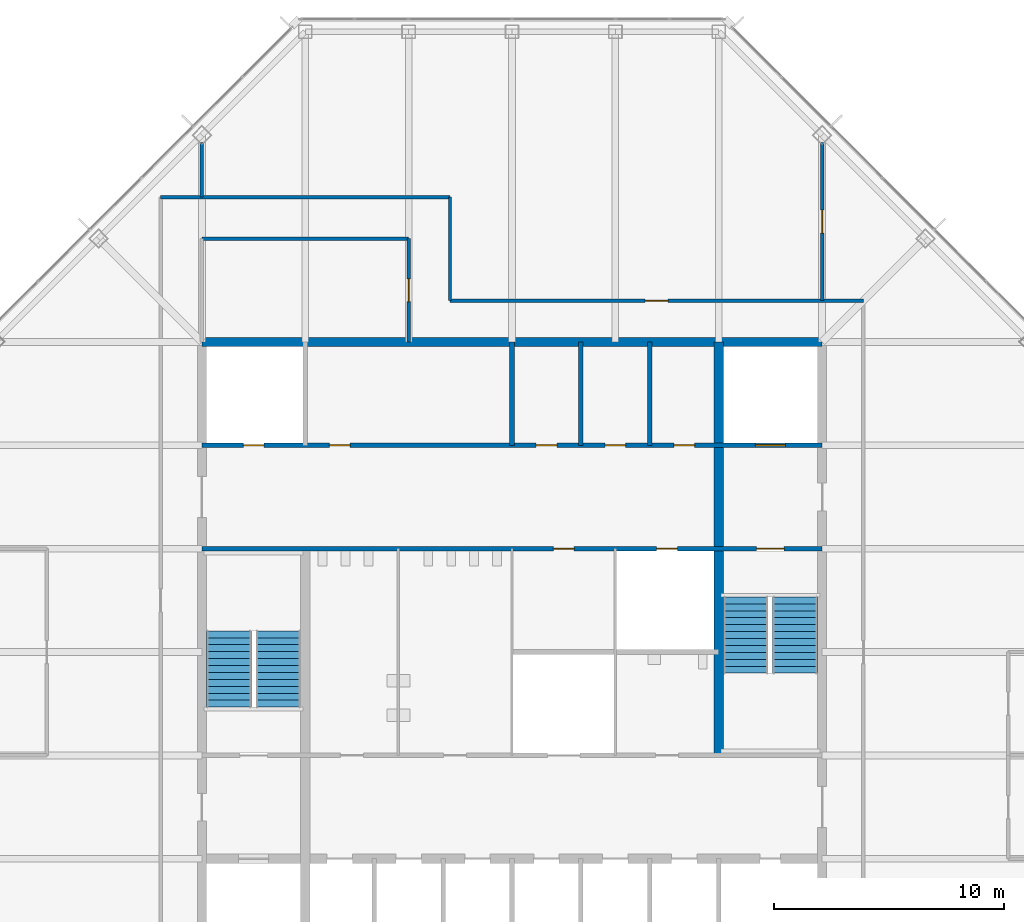
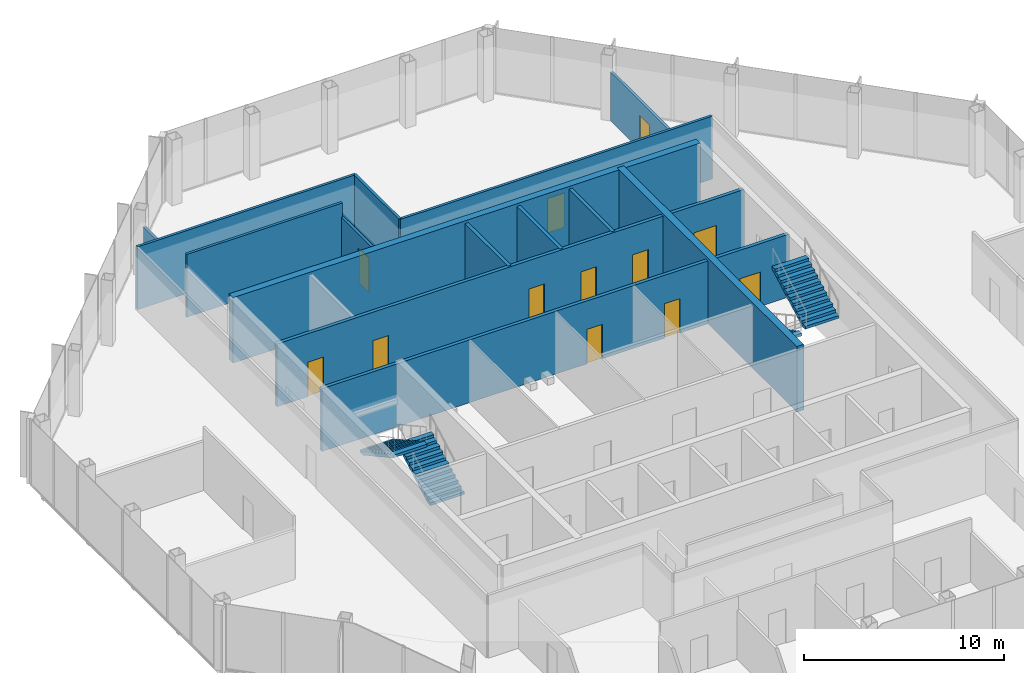
# One storey, part 11 of 13: 14 walls, 12 doors, 4 stair flights, 12 openings, 2 elements without a shape of their own.
"""IFC4 building model written with IfcOpenShell, lengths in metres."""

import ifcopenshell
import ifcopenshell.guid

model = None  # the IFC model being written
_history = None  # IfcOwnerHistory: only IFC2X3 demands one
_inside = {}  # id of a spatial element -> (the spatial element, [elements in it])
_under = {}  # id of a project, library or spatial element -> (it, [spatial elements below it])
_declared = {}  # id of a project -> (the project, [libraries it declares])
_typed = {}  # id of a type object -> (the type object, [elements of that type])
_made_of = {}  # id of a material, layer set ... -> (it, [elements and type objects made of it])


def new_model(schema):
    """Start an empty IFC model of exactly this schema.

    Asked for "IFC4X3", IfcOpenShell would pick the latest addendum, in which some entities
    have other attributes; the version numbers below select the first issue.
    IFC2X3 requires an IfcOwnerHistory on every rooted entity: one is made here for all.
    """
    global model, _history
    if schema == "IFC4X3":
        model = ifcopenshell.file(schema_version=(4, 3, 0, 0))
    else:
        model = ifcopenshell.file(schema=schema)
    _inside.clear()
    _under.clear()
    _declared.clear()
    _typed.clear()
    _made_of.clear()
    _history = None
    if model.schema == "IFC2X3":
        org = make("IfcOrganization", Name="unknown")
        user = make(
            "IfcPersonAndOrganization",
            ThePerson=make("IfcPerson", FamilyName="unknown"),
            TheOrganization=org,
        )
        app = make(
            "IfcApplication",
            ApplicationDeveloper=org,
            Version="unknown",
            ApplicationFullName="unknown",
            ApplicationIdentifier="unknown",
        )
        _history = make(
            "IfcOwnerHistory",
            OwningUser=user,
            OwningApplication=app,
            ChangeAction="ADDED",
            CreationDate=0,
        )
    return model


def make(cls, **values):
    """One entity of the class cls with the attributes given. An attribute that is None is left unset."""
    return model.create_entity(
        cls, **{name: value for name, value in values.items() if value is not None}
    )


def rooted(cls, **values):
    """An entity with a GlobalId (a new one), such as an element, a storey or a relation."""
    return make(cls, GlobalId=ifcopenshell.guid.new(), OwnerHistory=_history, **values)


def si_unit(unit_type, name, prefix=None):
    """IfcSIUnit, for example si_unit("LENGTHUNIT", "METRE", prefix="MILLI")."""
    return make("IfcSIUnit", UnitType=unit_type, Prefix=prefix, Name=name)


def assignment(units):
    """IfcUnitAssignment: the units of a project."""
    return None if units is None else make("IfcUnitAssignment", Units=units)


def point(xyz):
    """IfcCartesianPoint."""
    return None if xyz is None else make("IfcCartesianPoint", Coordinates=xyz)


def direction(xyz):
    """IfcDirection."""
    return None if xyz is None else make("IfcDirection", DirectionRatios=xyz)


def frame(location, z_axis=None, x_axis=None):
    """IfcAxis2Placement3D, a coordinate frame: its origin and axes. An axis left out is left unset."""
    return make(
        "IfcAxis2Placement3D",
        Location=point(location),
        Axis=direction(z_axis),
        RefDirection=direction(x_axis),
    )


def frame_2d(location, x_axis=None):
    """IfcAxis2Placement2D, a coordinate frame in the plane: its origin and x axis."""
    return make(
        "IfcAxis2Placement2D", Location=point(location), RefDirection=direction(x_axis)
    )


def origin():
    """The frame at (0, 0, 0) with its axes left unset."""
    return frame((0.0, 0.0, 0.0))


def place(relative_to, where):
    """IfcLocalPlacement: puts the frame where relative to a parent placement (None: the world)."""
    return make(
        "IfcLocalPlacement", PlacementRelTo=relative_to, RelativePlacement=where
    )


def context(
    kind, dimensions, precision=None, world=None, true_north=None, identifier=None
):
    """IfcGeometricRepresentationContext, for example the 3D "Model" context."""
    return make(
        "IfcGeometricRepresentationContext",
        ContextIdentifier=identifier,
        ContextType=kind,
        CoordinateSpaceDimension=dimensions,
        Precision=precision,
        WorldCoordinateSystem=world,
        TrueNorth=true_north,
    )


def subcontext(parent, identifier, kind, view, scale=None):
    """IfcGeometricRepresentationSubContext, for example "Body" below "Model"."""
    return make(
        "IfcGeometricRepresentationSubContext",
        ContextIdentifier=identifier,
        ContextType=kind,
        ParentContext=parent,
        TargetScale=scale,
        TargetView=view,
    )


def project(units=None, contexts=None):
    """IfcProject with its units and contexts."""
    return rooted(
        "IfcProject",
        Name="project",
        RepresentationContexts=contexts,
        UnitsInContext=assignment(units),
    )


def spatial(cls, under=None, at=None, **own):
    """A site, building, storey or space (cls), placed at a placement, below another one or the project."""
    s = rooted(cls, ObjectPlacement=at, **own)
    if under is not None:
        _under.setdefault(under.id(), (under, []))[1].append(s)
    return s


def polyline(points):
    """IfcPolyline through the points."""
    return make("IfcPolyline", Points=[point(p) for p in points])


def profile(cls, at=None, kind="AREA", **sizes):
    """A parametric profile (cls). Its sizes go by their IFC names, for example OverallWidth=200.0."""
    return make(cls, ProfileType=kind, Position=at, **sizes)


def rectangle(**sizes):
    """IfcRectangleProfileDef."""
    return profile("IfcRectangleProfileDef", **sizes)


def outline(outer, holes=None, kind="AREA"):
    """IfcArbitraryClosedProfileDef: a profile drawn as a closed curve; with holes, ...WithVoids."""
    if holes is None:
        return make("IfcArbitraryClosedProfileDef", ProfileType=kind, OuterCurve=outer)
    return make(
        "IfcArbitraryProfileDefWithVoids",
        ProfileType=kind,
        OuterCurve=outer,
        InnerCurves=holes,
    )


def extrude(swept, where, along, depth):
    """IfcExtrudedAreaSolid: the profile swept, set in the frame where, extruded along a direction by depth."""
    return make(
        "IfcExtrudedAreaSolid",
        SweptArea=swept,
        Position=where,
        ExtrudedDirection=direction(along),
        Depth=depth,
    )


def shape(context_of_items, identifier, shape_type, items):
    """IfcShapeRepresentation: the items that make up one representation, for example the "Body"."""
    return make(
        "IfcShapeRepresentation",
        ContextOfItems=context_of_items,
        RepresentationIdentifier=identifier,
        RepresentationType=shape_type,
        Items=items,
    )


def material(Name=None, Category=None):
    """IfcMaterial."""
    return make("IfcMaterial", Name=Name, Category=Category)


def layer(
    of_material, thickness, ventilated=None, Name=None, Category=None, Priority=None
):
    """IfcMaterialLayer: one layer of a wall or slab, of a material (None: an air gap)."""
    return make(
        "IfcMaterialLayer",
        Material=of_material,
        LayerThickness=thickness,
        IsVentilated=ventilated,
        Name=Name,
        Category=Category,
        Priority=Priority,
    )


def layer_set(layers, Name=None):
    """IfcMaterialLayerSet."""
    return make("IfcMaterialLayerSet", MaterialLayers=layers, LayerSetName=Name)


def made_of(thing, what):
    """Note that an element or type object is made of a material, layer set ...; save() writes the relation."""
    if what is not None:
        _made_of.setdefault(what.id(), (what, []))[1].append(thing)
    return thing


def type_object(cls, material=None, **own):
    """A type object (cls), such as IfcWallType, which elements share."""
    return made_of(rooted(cls, **own), material)


def element(
    cls,
    number,
    at=None,
    inside=None,
    cuts=None,
    type_object=None,
    material=None,
    context=None,
    identifier="Body",
    shape_type=None,
    held_by="IfcProductDefinitionShape",
    body=None,
    shapes=None,
    **own,
):
    """One element of the class cls, such as IfcWall. Its Tag is "e" and its number.

    at: its placement. inside: the storey or other place that contains it. cuts: it is an
    opening in that element (IfcRelVoidsElement). A single representation is given by context,
    identifier, shape_type and body (its items); several are given by shapes. held_by: the class
    of the entity that holds the representations. save() writes the other relations.
    """
    e = rooted(cls, Tag="e%d" % number, ObjectPlacement=at, **own)
    if body is not None:
        shapes = [shape(context, identifier, shape_type, body)]
    if shapes is not None:
        e.Representation = make(held_by, Representations=shapes)
    if inside is not None:
        _inside.setdefault(inside.id(), (inside, []))[1].append(e)
    if cuts is not None:
        rooted(
            "IfcRelVoidsElement", RelatingBuildingElement=cuts, RelatedOpeningElement=e
        )
    if type_object is not None:
        _typed.setdefault(type_object.id(), (type_object, []))[1].append(e)
    return made_of(e, material)


def fill(opening, filler):
    """IfcRelFillsElement: the door or window that sits in an opening."""
    return rooted(
        "IfcRelFillsElement",
        RelatingOpeningElement=opening,
        RelatedBuildingElement=filler,
    )


def aggregate(whole, parts):
    """IfcRelAggregates: a whole, such as a stair, and the parts it consists of."""
    return rooted("IfcRelAggregates", RelatingObject=whole, RelatedObjects=parts)


def save(model, path):
    """Write the relations noted so far, then the file.

    IfcRelAggregates (storeys below a building ...), IfcRelContainedInSpatialStructure (elements
    in a storey), IfcRelDefinesByType, IfcRelAssociatesMaterial and IfcRelDeclares: one each for
    every whole, place, type object, material and project.
    """
    for whole, parts in _under.values():
        aggregate(whole, parts)
    for where, things in _inside.values():
        rooted(
            "IfcRelContainedInSpatialStructure",
            RelatedElements=things,
            RelatingStructure=where,
        )
    for kind, things in _typed.values():
        rooted("IfcRelDefinesByType", RelatedObjects=things, RelatingType=kind)
    for what, things in _made_of.values():
        rooted("IfcRelAssociatesMaterial", RelatedObjects=things, RelatingMaterial=what)
    for by, libraries in _declared.values():
        rooted("IfcRelDeclares", RelatingContext=by, RelatedDefinitions=libraries)
    model.write(path)


model = new_model("IFC4")

# Units and contexts
model_context = context("Model", 3, precision=1e-05, world=origin(), true_north=direction((0.0, 1.0)))
body_context = subcontext(model_context, "Body", "Model", "MODEL_VIEW")
ifc_project = project(units=[si_unit("LENGTHUNIT", "METRE"), si_unit("AREAUNIT", "SQUARE_METRE"), si_unit("VOLUMEUNIT", "CUBIC_METRE"), si_unit("PLANEANGLEUNIT", "RADIAN"), si_unit("MASSUNIT", "GRAM", prefix="KILO")], contexts=[model_context])

# Site, building, storey
site_placement = place(None, origin())
site = spatial("IfcSite", under=ifc_project, at=site_placement, CompositionType="ELEMENT")
building_placement = place(site_placement, origin())
building = spatial("IfcBuilding", under=site, at=building_placement, Name="Corais Broadcast Tower", CompositionType="ELEMENT")
storey_placement = place(building_placement, frame((0.0, 0.0, 270.60009765625)))
storey = spatial("IfcBuildingStorey", under=building, at=storey_placement, Name="L63", CompositionType="ELEMENT", Elevation=270.60009765625)

# Wall, openings, doors
ifc_material_1 = material(Name="Concrete blockwork class A, grouted, two-hour", Category="masonry")
ifc_layer_1 = layer(ifc_material_1, 0.199951171875)
ifc_layer_set_1 = layer_set([ifc_layer_1], Name="Concrete blockwork class A, grouted, two-hour")
wall_type_1 = type_object("IfcWallType", Name="Core lobby wall 200", PredefinedType="SOLIDWALL", material=ifc_layer_set_1)
wall_1_placement = place(storey_placement, frame((13.5, 31.5, 0.0), z_axis=(0.0, 0.0, 1.0), x_axis=(1.0, 0.0, 0.0)))
wall_1 = element("IfcWall", 1, at=wall_1_placement, inside=storey, type_object=wall_type_1, Name="CL3 core lobby wall Y315 L63", PredefinedType="SOLIDWALL", context=body_context, shape_type="SweptSolid", body=[
    extrude(rectangle(XDim=27.0, YDim=0.199951171875, at=frame_2d((13.5, 0.0))), origin(), (0.0, 0.0, 1.0), 3.83984375),
])
opening_1_placement = place(wall_1_placement, frame((24.14990234375, 0.0, 0.0)))
opening_1 = element("IfcOpeningElement", 2, at=opening_1_placement, cuts=wall_1, Name="Opening FD1", PredefinedType="OPENING", context=body_context, shape_type="SweptSolid", body=[
    extrude(rectangle(XDim=1.199951171875, YDim=2.10009765625, at=frame_2d((0.60009765625, 1.050048828125))), frame((0.0, 0.10986328125, 0.0), z_axis=(0.0, -1.0, 0.0), x_axis=(1.0, 0.0, 0.0)), (0.0, 0.0, 1.0), 0.219970703125),
])
opening_2_placement = place(wall_1_placement, frame((15.300048828125, 0.0, 0.0)))
opening_2 = element("IfcOpeningElement", 3, at=opening_2_placement, cuts=wall_1, Name="Opening RD1", PredefinedType="OPENING", context=body_context, shape_type="SweptSolid", body=[
    extrude(rectangle(XDim=0.89990234375, YDim=2.10009765625, at=frame_2d((0.449951171875, 1.050048828125))), frame((0.0, 0.10986328125, 0.0), z_axis=(0.0, -1.0, 0.0), x_axis=(1.0, 0.0, 0.0)), (0.0, 0.0, 1.0), 0.219970703125),
])
opening_3_placement = place(wall_1_placement, frame((19.800048828125, 0.0, 0.0)))
opening_3 = element("IfcOpeningElement", 4, at=opening_3_placement, cuts=wall_1, Name="Opening RD1", PredefinedType="OPENING", context=body_context, shape_type="SweptSolid", body=[
    extrude(rectangle(XDim=0.89990234375, YDim=2.10009765625, at=frame_2d((0.449951171875, 1.050048828125))), frame((0.0, 0.10986328125, 0.0), z_axis=(0.0, -1.0, 0.0), x_axis=(1.0, 0.0, 0.0)), (0.0, 0.0, 1.0), 0.219970703125),
])
ifc_material_2 = material(Name="Steel fire door", Category="steel")
door_type_1 = type_object("IfcDoorType", Name="Fire door 1200x2100", OperationType="SINGLE_SWING_LEFT", PredefinedType="DOOR", material=ifc_material_2)
door_1_placement = place(opening_1_placement, origin())
door_1 = element("IfcDoor", 5, at=door_1_placement, inside=storey, type_object=door_type_1, Name="FD1 stair B door L63", OperationType="SINGLE_SWING_RIGHT", OverallHeight=2.10009765625, OverallWidth=1.199951171875, PredefinedType="DOOR", context=body_context, shape_type="SweptSolid", body=[
    extrude(rectangle(XDim=1.199951171875, YDim=2.10009765625, at=frame_2d((0.60009765625, 1.050048828125))), frame((0.0, 0.02490234375, 0.0), z_axis=(0.0, -1.0, 0.0), x_axis=(1.0, 0.0, 0.0)), (0.0, 0.0, 1.0), 0.050048828125),
])
fill(opening_1, door_1)
ifc_material_3 = material(Name="Steel fire door", Category="steel")
door_type_2 = type_object("IfcDoorType", Name="Riser door 900x2100", OperationType="SINGLE_SWING_LEFT", PredefinedType="DOOR", material=ifc_material_3)
door_2_placement = place(opening_2_placement, origin())
door_2 = element("IfcDoor", 6, at=door_2_placement, inside=storey, type_object=door_type_2, Name="RD1 stationery store door L63", OperationType="SINGLE_SWING_RIGHT", OverallHeight=2.10009765625, OverallWidth=0.89990234375, PredefinedType="DOOR", context=body_context, shape_type="SweptSolid", body=[
    extrude(rectangle(XDim=0.89990234375, YDim=2.10009765625, at=frame_2d((0.449951171875, 1.050048828125))), frame((0.0, 0.02490234375, 0.0), z_axis=(0.0, -1.0, 0.0), x_axis=(1.0, 0.0, 0.0)), (0.0, 0.0, 1.0), 0.050048828125),
])
fill(opening_2, door_2)
door_3_placement = place(opening_3_placement, origin())
door_3 = element("IfcDoor", 7, at=door_3_placement, inside=storey, type_object=door_type_2, Name="RD1 riser door L63", OperationType="SINGLE_SWING_RIGHT", OverallHeight=2.10009765625, OverallWidth=0.89990234375, PredefinedType="DOOR", context=body_context, shape_type="SweptSolid", body=[
    extrude(rectangle(XDim=0.89990234375, YDim=2.10009765625, at=frame_2d((0.449951171875, 1.050048828125))), frame((0.0, 0.02490234375, 0.0), z_axis=(0.0, -1.0, 0.0), x_axis=(1.0, 0.0, 0.0)), (0.0, 0.0, 1.0), 0.050048828125),
])
fill(opening_3, door_3)

# Walls
ifc_material_4 = material(Name="Concrete C50/60", Category="concrete")
ifc_layer_2 = layer(ifc_material_4, 0.39990234375)
ifc_layer_set_2 = layer_set([ifc_layer_2], Name="Concrete C50/60")
wall_type_2 = type_object("IfcWallType", Name="Core wall 400", PredefinedType="SHEAR", material=ifc_layer_set_2)
wall_2_placement = place(storey_placement, frame((40.5, 40.5, 0.0), z_axis=(0.0, 0.0, 1.0), x_axis=(-1.0, 0.0, 0.0)))
element("IfcWall", 8, at=wall_2_placement, inside=storey, type_object=wall_type_2, Name="CR400 core wall N L63", PredefinedType="SHEAR", context=body_context, shape_type="SweptSolid", body=[
    extrude(rectangle(XDim=27.0, YDim=0.39990234375, at=frame_2d((13.5, 0.0))), origin(), (0.0, 0.0, 1.0), 4.0),
])
wall_3_placement = place(storey_placement, frame((36.0, 22.5, 0.0), z_axis=(0.0, 0.0, 1.0), x_axis=(0.0, 1.0, 0.0)))
element("IfcWall", 9, at=wall_3_placement, inside=storey, type_object=wall_type_2, Name="CR400 core wall X36B L63", PredefinedType="SHEAR", context=body_context, shape_type="SweptSolid", body=[
    extrude(rectangle(XDim=18.0, YDim=0.39990234375, at=frame_2d((9.0, 0.0))), origin(), (0.0, 0.0, 1.0), 4.0),
])

# Wall, openings, doors
ifc_material_5 = material(Name="Concrete blockwork class A, grouted, four-hour", Category="masonry")
ifc_layer_3 = layer(ifc_material_5, 0.199951171875)
ifc_layer_set_3 = layer_set([ifc_layer_3], Name="Concrete blockwork class A, grouted, four-hour")
wall_type_3 = type_object("IfcWallType", Name="Emergency lift shaft wall 200", PredefinedType="SOLIDWALL", material=ifc_layer_set_3)
wall_4_placement = place(storey_placement, frame((13.5, 36.0, 0.0), z_axis=(0.0, 0.0, 1.0), x_axis=(1.0, 0.0, 0.0)))
wall_4 = element("IfcWall", 10, at=wall_4_placement, inside=storey, type_object=wall_type_3, Name="LS3 core lobby wall Y36 L63", PredefinedType="SOLIDWALL", context=body_context, shape_type="SweptSolid", body=[
    extrude(rectangle(XDim=27.0, YDim=0.199951171875, at=frame_2d((13.5, 0.0))), origin(), (0.0, 0.0, 1.0), 3.83984375),
])
opening_4_placement = place(wall_4_placement, frame((1.800048828125, 0.0, 0.0)))
opening_4 = element("IfcOpeningElement", 11, at=opening_4_placement, cuts=wall_4, Name="Opening RD1", PredefinedType="OPENING", context=body_context, shape_type="SweptSolid", body=[
    extrude(rectangle(XDim=0.89990234375, YDim=2.10009765625, at=frame_2d((0.449951171875, 1.050048828125))), frame((0.0, 0.10986328125, 0.0), z_axis=(0.0, -1.0, 0.0), x_axis=(1.0, 0.0, 0.0)), (0.0, 0.0, 1.0), 0.219970703125),
])
opening_5_placement = place(wall_4_placement, frame((5.550048828125, 0.0, 0.0)))
opening_5 = element("IfcOpeningElement", 12, at=opening_5_placement, cuts=wall_4, Name="Opening RD1", PredefinedType="OPENING", context=body_context, shape_type="SweptSolid", body=[
    extrude(rectangle(XDim=0.89990234375, YDim=2.10009765625, at=frame_2d((0.449951171875, 1.050048828125))), frame((0.0, 0.10986328125, 0.0), z_axis=(0.0, -1.0, 0.0), x_axis=(1.0, 0.0, 0.0)), (0.0, 0.0, 1.0), 0.219970703125),
])
opening_6_placement = place(wall_4_placement, frame((14.550048828125, 0.0, 0.0)))
opening_6 = element("IfcOpeningElement", 13, at=opening_6_placement, cuts=wall_4, Name="Opening RD1", PredefinedType="OPENING", context=body_context, shape_type="SweptSolid", body=[
    extrude(rectangle(XDim=0.89990234375, YDim=2.10009765625, at=frame_2d((0.449951171875, 1.050048828125))), frame((0.0, 0.10986328125, 0.0), z_axis=(0.0, -1.0, 0.0), x_axis=(1.0, 0.0, 0.0)), (0.0, 0.0, 1.0), 0.219970703125),
])
opening_7_placement = place(wall_4_placement, frame((17.550048828125, 0.0, 0.0)))
opening_7 = element("IfcOpeningElement", 14, at=opening_7_placement, cuts=wall_4, Name="Opening RD1", PredefinedType="OPENING", context=body_context, shape_type="SweptSolid", body=[
    extrude(rectangle(XDim=0.89990234375, YDim=2.10009765625, at=frame_2d((0.449951171875, 1.050048828125))), frame((0.0, 0.10986328125, 0.0), z_axis=(0.0, -1.0, 0.0), x_axis=(1.0, 0.0, 0.0)), (0.0, 0.0, 1.0), 0.219970703125),
])
opening_8_placement = place(wall_4_placement, frame((20.550048828125, 0.0, 0.0)))
opening_8 = element("IfcOpeningElement", 15, at=opening_8_placement, cuts=wall_4, Name="Opening RD1", PredefinedType="OPENING", context=body_context, shape_type="SweptSolid", body=[
    extrude(rectangle(XDim=0.89990234375, YDim=2.10009765625, at=frame_2d((0.449951171875, 1.050048828125))), frame((0.0, 0.10986328125, 0.0), z_axis=(0.0, -1.0, 0.0), x_axis=(1.0, 0.0, 0.0)), (0.0, 0.0, 1.0), 0.219970703125),
])
opening_9_placement = place(wall_4_placement, frame((24.10009765625, 0.0, 0.0)))
opening_9 = element("IfcOpeningElement", 16, at=opening_9_placement, cuts=wall_4, Name="Opening LD2", PredefinedType="OPENING", context=body_context, shape_type="SweptSolid", body=[
    extrude(rectangle(XDim=1.300048828125, YDim=2.199951171875, at=frame_2d((0.64990234375, 1.10009765625))), frame((0.0, 0.10986328125, 0.0), z_axis=(0.0, -1.0, 0.0), x_axis=(1.0, 0.0, 0.0)), (0.0, 0.0, 1.0), 0.219970703125),
])
ifc_material_6 = material(Name="Stainless steel lift door", Category="steel")
door_type_3 = type_object("IfcDoorType", Name="Lift landing door 1300x2200", OperationType="SLIDING_TO_LEFT", PredefinedType="DOOR", material=ifc_material_6)
door_4_placement = place(opening_9_placement, origin())
door_4 = element("IfcDoor", 17, at=door_4_placement, inside=storey, type_object=door_type_3, Name="LD2 FL2 landing door L63", OperationType="SLIDING_TO_LEFT", OverallHeight=2.199951171875, OverallWidth=1.300048828125, PredefinedType="DOOR", context=body_context, shape_type="SweptSolid", body=[
    extrude(rectangle(XDim=1.300048828125, YDim=2.199951171875, at=frame_2d((0.64990234375, 1.10009765625))), frame((0.0, 0.02490234375, 0.0), z_axis=(0.0, -1.0, 0.0), x_axis=(1.0, 0.0, 0.0)), (0.0, 0.0, 1.0), 0.050048828125),
])
fill(opening_9, door_4)
door_5_placement = place(opening_4_placement, origin())
door_5 = element("IfcDoor", 18, at=door_5_placement, inside=storey, type_object=door_type_2, Name="RD1 riser door L63", OperationType="SINGLE_SWING_LEFT", OverallHeight=2.10009765625, OverallWidth=0.89990234375, PredefinedType="DOOR", context=body_context, shape_type="SweptSolid", body=[
    extrude(rectangle(XDim=0.89990234375, YDim=2.10009765625, at=frame_2d((0.449951171875, 1.050048828125))), frame((0.0, 0.02490234375, 0.0), z_axis=(0.0, -1.0, 0.0), x_axis=(1.0, 0.0, 0.0)), (0.0, 0.0, 1.0), 0.050048828125),
])
fill(opening_4, door_5)
door_6_placement = place(opening_5_placement, origin())
door_6 = element("IfcDoor", 19, at=door_6_placement, inside=storey, type_object=door_type_2, Name="RD1 media store door L63", OperationType="SINGLE_SWING_LEFT", OverallHeight=2.10009765625, OverallWidth=0.89990234375, PredefinedType="DOOR", context=body_context, shape_type="SweptSolid", body=[
    extrude(rectangle(XDim=0.89990234375, YDim=2.10009765625, at=frame_2d((0.449951171875, 1.050048828125))), frame((0.0, 0.02490234375, 0.0), z_axis=(0.0, -1.0, 0.0), x_axis=(1.0, 0.0, 0.0)), (0.0, 0.0, 1.0), 0.050048828125),
])
fill(opening_5, door_6)
door_7_placement = place(opening_6_placement, origin())
door_7 = element("IfcDoor", 20, at=door_7_placement, inside=storey, type_object=door_type_2, Name="RD1 tea point door L63", OperationType="SINGLE_SWING_RIGHT", OverallHeight=2.10009765625, OverallWidth=0.89990234375, PredefinedType="DOOR", context=body_context, shape_type="SweptSolid", body=[
    extrude(rectangle(XDim=0.89990234375, YDim=2.10009765625, at=frame_2d((0.449951171875, 1.050048828125))), frame((0.0, 0.02490234375, 0.0), z_axis=(0.0, -1.0, 0.0), x_axis=(1.0, 0.0, 0.0)), (0.0, 0.0, 1.0), 0.050048828125),
])
fill(opening_6, door_7)
door_8_placement = place(opening_7_placement, origin())
door_8 = element("IfcDoor", 21, at=door_8_placement, inside=storey, type_object=door_type_2, Name="RD1 locker room door L63", OperationType="SINGLE_SWING_RIGHT", OverallHeight=2.10009765625, OverallWidth=0.89990234375, PredefinedType="DOOR", context=body_context, shape_type="SweptSolid", body=[
    extrude(rectangle(XDim=0.89990234375, YDim=2.10009765625, at=frame_2d((0.449951171875, 1.050048828125))), frame((0.0, 0.02490234375, 0.0), z_axis=(0.0, -1.0, 0.0), x_axis=(1.0, 0.0, 0.0)), (0.0, 0.0, 1.0), 0.050048828125),
])
fill(opening_7, door_8)
door_9_placement = place(opening_8_placement, origin())
door_9 = element("IfcDoor", 22, at=door_9_placement, inside=storey, type_object=door_type_2, Name="RD1 print room door L63", OperationType="SINGLE_SWING_RIGHT", OverallHeight=2.10009765625, OverallWidth=0.89990234375, PredefinedType="DOOR", context=body_context, shape_type="SweptSolid", body=[
    extrude(rectangle(XDim=0.89990234375, YDim=2.10009765625, at=frame_2d((0.449951171875, 1.050048828125))), frame((0.0, 0.02490234375, 0.0), z_axis=(0.0, -1.0, 0.0), x_axis=(1.0, 0.0, 0.0)), (0.0, 0.0, 1.0), 0.050048828125),
])
fill(opening_8, door_9)

# Wall, opening, door
ifc_material_7 = material(Name="Gypsum board on steel studs", Category="steel")
ifc_layer_4 = layer(ifc_material_7, 0.14990234375)
ifc_layer_set_4 = layer_set([ifc_layer_4], Name="Gypsum board on steel studs")
wall_type_4 = type_object("IfcWallType", Name="Partition 150", PredefinedType="PARTITIONING", material=ifc_layer_set_4)
wall_5_placement = place(storey_placement, frame((42.300048828125, 42.300048828125, 0.0), z_axis=(0.0, 0.0, 1.0), x_axis=(-1.0, 0.0, 0.0)))
wall_5 = element("IfcWall", 23, at=wall_5_placement, inside=storey, type_object=wall_type_4, Name="IW3 corridor wall L63", PredefinedType="PARTITIONING", context=body_context, shape_type="SweptSolid", body=[
    extrude(rectangle(XDim=18.0, YDim=0.14990234375, at=frame_2d((9.0, 0.0))), origin(), (0.0, 0.0, 1.0), 3.83984375),
])
opening_10_placement = place(wall_5_placement, frame((8.5, 0.0, 0.0)))
opening_10 = element("IfcOpeningElement", 24, at=opening_10_placement, cuts=wall_5, Name="Opening D1", PredefinedType="OPENING", context=body_context, shape_type="SweptSolid", body=[
    extrude(rectangle(XDim=1.0, YDim=2.10009765625, at=frame_2d((0.5, 1.050048828125))), frame((0.0, 0.0849609375, 0.0), z_axis=(0.0, -1.0, 0.0), x_axis=(1.0, 0.0, 0.0)), (0.0, 0.0, 1.0), 0.169921875),
])
ifc_material_8 = material(Name="Timber door", Category="wood")
door_type_4 = type_object("IfcDoorType", Name="Single door 1000x2100", OperationType="SINGLE_SWING_LEFT", PredefinedType="DOOR", material=ifc_material_8)
door_10_placement = place(opening_10_placement, origin())
door_10 = element("IfcDoor", 25, at=door_10_placement, inside=storey, type_object=door_type_4, Name="D1 workplace door L63", OperationType="SINGLE_SWING_LEFT", OverallHeight=2.10009765625, OverallWidth=1.0, PredefinedType="DOOR", context=body_context, shape_type="SweptSolid", body=[
    extrude(rectangle(XDim=1.0, YDim=2.10009765625, at=frame_2d((0.5, 1.050048828125))), frame((0.0, 0.02490234375, 0.0), z_axis=(0.0, -1.0, 0.0), x_axis=(1.0, 0.0, 0.0)), (0.0, 0.0, 1.0), 0.050048828125),
])
fill(opening_10, door_10)

# Walls
wall_6_placement = place(storey_placement, frame((24.300048828125, 46.800048828125, 0.0), z_axis=(0.0, 0.0, 1.0), x_axis=(-1.0, 0.0, 0.0)))
element("IfcWall", 26, at=wall_6_placement, inside=storey, type_object=wall_type_4, Name="IW3 corridor wall L63", PredefinedType="PARTITIONING", context=body_context, shape_type="SweptSolid", body=[
    extrude(rectangle(XDim=12.60009765625, YDim=0.14990234375, at=frame_2d((6.300048828125, 0.0))), origin(), (0.0, 0.0, 1.0), 3.83984375),
])
wall_7_placement = place(storey_placement, frame((24.300048828125, 42.300048828125, 0.0), z_axis=(0.0, 0.0, 1.0), x_axis=(0.0, 1.0, 0.0)))
element("IfcWall", 27, at=wall_7_placement, inside=storey, type_object=wall_type_4, Name="IW3 corridor wall L63", PredefinedType="PARTITIONING", context=body_context, shape_type="SweptSolid", body=[
    extrude(rectangle(XDim=4.5, YDim=0.14990234375, at=frame_2d((2.25, 0.0))), origin(), (0.0, 0.0, 1.0), 3.83984375),
])

# Wall, opening, door
wall_8_placement = place(storey_placement, frame((22.5, 40.5, 0.0), z_axis=(0.0, 0.0, 1.0), x_axis=(0.0, 1.0, 0.0)))
wall_8 = element("IfcWall", 28, at=wall_8_placement, inside=storey, type_object=wall_type_4, Name="IW3 partition L63", PredefinedType="PARTITIONING", context=body_context, shape_type="SweptSolid", body=[
    extrude(rectangle(XDim=4.5, YDim=0.14990234375, at=frame_2d((2.25, 0.0))), origin(), (0.0, 0.0, 1.0), 2.989013671875),
])
opening_11_placement = place(wall_8_placement, frame((1.75, 0.0, 0.0)))
opening_11 = element("IfcOpeningElement", 29, at=opening_11_placement, cuts=wall_8, Name="Opening D1", PredefinedType="OPENING", context=body_context, shape_type="SweptSolid", body=[
    extrude(rectangle(XDim=1.0, YDim=2.10009765625, at=frame_2d((0.5, 1.050048828125))), frame((0.0, 0.0849609375, 0.0), z_axis=(0.0, -1.0, 0.0), x_axis=(1.0, 0.0, 0.0)), (0.0, 0.0, 1.0), 0.169921875),
])
door_11_placement = place(opening_11_placement, origin())
door_11 = element("IfcDoor", 30, at=door_11_placement, inside=storey, type_object=door_type_4, Name="D1 Investor relations workroom door", OperationType="SINGLE_SWING_LEFT", OverallHeight=2.10009765625, OverallWidth=1.0, PredefinedType="DOOR", context=body_context, shape_type="SweptSolid", body=[
    extrude(rectangle(XDim=1.0, YDim=2.10009765625, at=frame_2d((0.5, 1.050048828125))), frame((0.0, 0.02490234375, 0.0), z_axis=(0.0, -1.0, 0.0), x_axis=(1.0, 0.0, 0.0)), (0.0, 0.0, 1.0), 0.050048828125),
])
fill(opening_11, door_11)

# Wall
wall_9_placement = place(storey_placement, frame((22.5, 45.0, 0.0), z_axis=(0.0, 0.0, 1.0), x_axis=(-1.0, 0.0, 0.0)))
element("IfcWall", 31, at=wall_9_placement, inside=storey, type_object=wall_type_4, Name="IW3 partition L63", PredefinedType="PARTITIONING", context=body_context, shape_type="SweptSolid", body=[
    extrude(rectangle(XDim=9.0, YDim=0.14990234375, at=frame_2d((4.5, 0.0))), origin(), (0.0, 0.0, 1.0), 3.83984375),
])

# Wall, opening, door
wall_10_placement = place(storey_placement, frame((40.5, 49.179931640625, 0.0), z_axis=(0.0, 0.0, 1.0), x_axis=(0.0, -1.0, 0.0)))
wall_10 = element("IfcWall", 32, at=wall_10_placement, inside=storey, type_object=wall_type_4, Name="IW3 partition L63", PredefinedType="PARTITIONING", context=body_context, shape_type="SweptSolid", body=[
    extrude(rectangle(XDim=6.8798828125, YDim=0.14990234375, at=frame_2d((3.43994140625, 0.0))), origin(), (0.0, 0.0, 1.0), 2.989013671875),
])
opening_12_placement = place(wall_10_placement, frame((2.93994140625, 0.0, 0.0)))
opening_12 = element("IfcOpeningElement", 33, at=opening_12_placement, cuts=wall_10, Name="Opening D1", PredefinedType="OPENING", context=body_context, shape_type="SweptSolid", body=[
    extrude(rectangle(XDim=1.0, YDim=2.10009765625, at=frame_2d((0.5, 1.050048828125))), frame((0.0, 0.0849609375, 0.0), z_axis=(0.0, -1.0, 0.0), x_axis=(1.0, 0.0, 0.0)), (0.0, 0.0, 1.0), 0.169921875),
])
door_12_placement = place(opening_12_placement, origin())
door_12 = element("IfcDoor", 34, at=door_12_placement, inside=storey, type_object=door_type_4, Name="D1 team room door L63", OperationType="SINGLE_SWING_LEFT", OverallHeight=2.10009765625, OverallWidth=1.0, PredefinedType="DOOR", context=body_context, shape_type="SweptSolid", body=[
    extrude(rectangle(XDim=1.0, YDim=2.10009765625, at=frame_2d((0.5, 1.050048828125))), frame((0.0, 0.02490234375, 0.0), z_axis=(0.0, -1.0, 0.0), x_axis=(1.0, 0.0, 0.0)), (0.0, 0.0, 1.0), 0.050048828125),
])
fill(opening_12, door_12)

# Walls
wall_11_placement = place(storey_placement, frame((13.5, 46.800048828125, 0.0), z_axis=(0.0, 0.0, 1.0), x_axis=(0.0, 1.0, 0.0)))
element("IfcWall", 35, at=wall_11_placement, inside=storey, type_object=wall_type_4, Name="IW3 partition L63", PredefinedType="PARTITIONING", context=body_context, shape_type="SweptSolid", body=[
    extrude(rectangle(XDim=2.3798828125, YDim=0.14990234375, at=frame_2d((1.18994140625, 0.0))), origin(), (0.0, 0.0, 1.0), 2.989013671875),
])
ifc_material_9 = material(Name="Concrete blockwork class A, grouted, two-hour", Category="masonry")
ifc_layer_5 = layer(ifc_material_9, 0.199951171875)
ifc_layer_set_5 = layer_set([ifc_layer_5], Name="Concrete blockwork class A, grouted, two-hour")
wall_type_5 = type_object("IfcWallType", Name="Shaft wall 200", PredefinedType="PARTITIONING", material=ifc_layer_set_5)
for number, where, z_axis, x_axis, name in (
    (36, (27.0, 36.0, 0.0), (0.0, 0.0, 1.0), (0.0, 1.0, 0.0), "IW1 shaft wall L63"),
    (37, (30.0, 36.0, 0.0), (0.0, 0.0, 1.0), (0.0, 1.0, 0.0), "IW1 shaft wall L63"),
    (38, (33.0, 36.0, 0.0), (0.0, 0.0, 1.0), (0.0, 1.0, 0.0), "IW1 shaft wall L63"),
):
    element("IfcWall", number, at=place(storey_placement, frame(where, z_axis=z_axis, x_axis=x_axis)), inside=storey, type_object=wall_type_5, Name=name, PredefinedType="PARTITIONING", context=body_context, shape_type="SweptSolid", body=[
        extrude(rectangle(XDim=4.5, YDim=0.199951171875, at=frame_2d((2.25, 0.0))), origin(), (0.0, 0.0, 1.0), 3.83984375),
    ])

# Stair, stair flights
ifc_material_10 = material(Name="Concrete C30/37", Category="concrete")
stair_type = type_object("IfcStairType", Name="Half-turn stair 4000", PredefinedType="HALF_TURN_STAIR", material=ifc_material_10)
stair_1_placement = place(storey_placement, origin())
stair_1 = element("IfcStair", 39, at=stair_1_placement, inside=storey, type_object=stair_type, Name="Stair A L63", PredefinedType="HALF_TURN_STAIR")
ifc_material_11 = material(Name="Concrete C30/37", Category="concrete")
stair_flight_type = type_object("IfcStairFlightType", Name="Stair flight 4000", PredefinedType="STRAIGHT", material=ifc_material_11)
stair_flight_1_placement = place(storey_placement, frame((16.824951171875, 24.60009765625, 0.0), z_axis=(0.0, 0.0, 1.0), x_axis=(0.0, 1.0, 0.0)))
stair_flight_1 = element("IfcStairFlight", 40, at=stair_flight_1_placement, type_object=stair_flight_type, Name="STA flight 1", NumberOfRisers=12, NumberOfTreads=11, PredefinedType="STRAIGHT", RiserHeight=0.166666667, TreadLength=0.302, context=body_context, shape_type="SweptSolid", body=[
    extrude(outline(polyline([(0.0, 0.0), (0.0, 0.166748046875), (0.302001953125, 0.166748046875), (0.302001953125, 0.333251953125), (0.60400390625, 0.333251953125), (0.60400390625, 0.5), (0.906005859375, 0.5), (0.906005859375, 0.666748046875), (1.2080078125, 0.666748046875), (1.2080078125, 0.833251953125), (1.510009765625, 0.833251953125), (1.510009765625, 1.0), (1.81201171875, 1.0), (1.81201171875, 1.166748046875), (2.114013671875, 1.166748046875), (2.114013671875, 1.333251953125), (2.416015625, 1.333251953125), (2.416015625, 1.5), (2.718017578125, 1.5), (2.718017578125, 1.666748046875), (3.02001953125, 1.666748046875), (3.02001953125, 1.833251953125), (3.322021484375, 1.833251953125), (3.322021484375, 2.0), (3.322021484375, 1.662109375), (0.310302734375, 0.0), (0.0, 0.0)])), frame((0.0, 0.97509765625, 0.0), z_axis=(0.0, -1.0, 0.0), x_axis=(1.0, 0.0, 0.0)), (0.0, 0.0, 1.0), 1.949951171875),
])
stair_flight_2_placement = place(storey_placement, frame((14.675048828125, 27.922119140625, 2.0), z_axis=(0.0, 0.0, 1.0), x_axis=(0.0, -1.0, 0.0)))
stair_flight_2 = element("IfcStairFlight", 41, at=stair_flight_2_placement, type_object=stair_flight_type, Name="STA flight 2", NumberOfRisers=12, NumberOfTreads=11, PredefinedType="STRAIGHT", RiserHeight=0.166666667, TreadLength=0.302, context=body_context, shape_type="SweptSolid", body=[
    extrude(outline(polyline([(0.0, 0.0), (0.0, 0.166748046875), (0.302001953125, 0.166748046875), (0.302001953125, 0.333251953125), (0.60400390625, 0.333251953125), (0.60400390625, 0.5), (0.906005859375, 0.5), (0.906005859375, 0.666748046875), (1.2080078125, 0.666748046875), (1.2080078125, 0.833251953125), (1.510009765625, 0.833251953125), (1.510009765625, 1.0), (1.81201171875, 1.0), (1.81201171875, 1.166748046875), (2.114013671875, 1.166748046875), (2.114013671875, 1.333251953125), (2.416015625, 1.333251953125), (2.416015625, 1.5), (2.718017578125, 1.5), (2.718017578125, 1.666748046875), (3.02001953125, 1.666748046875), (3.02001953125, 1.833251953125), (3.322021484375, 1.833251953125), (3.322021484375, 2.0), (3.322021484375, 1.662109375), (0.310302734375, 0.0), (0.0, 0.0)])), frame((0.0, 0.97509765625, 0.0), z_axis=(0.0, -1.0, 0.0), x_axis=(1.0, 0.0, 0.0)), (0.0, 0.0, 1.0), 1.949951171875),
])
aggregate(stair_1, [stair_flight_1, stair_flight_2])

stair_2_placement = place(storey_placement, origin())
stair_2 = element("IfcStair", 42, at=stair_2_placement, inside=storey, type_object=stair_type, Name="Stair B L63", PredefinedType="HALF_TURN_STAIR")
stair_flight_3_placement = place(storey_placement, frame((37.175048828125, 29.39990234375, 0.0), z_axis=(0.0, 0.0, 1.0), x_axis=(0.0, -1.0, 0.0)))
stair_flight_3 = element("IfcStairFlight", 43, at=stair_flight_3_placement, type_object=stair_flight_type, Name="STB flight 1", NumberOfRisers=12, NumberOfTreads=11, PredefinedType="STRAIGHT", RiserHeight=0.166666667, TreadLength=0.302, context=body_context, shape_type="SweptSolid", body=[
    extrude(outline(polyline([(0.0, 0.0), (0.0, 0.166748046875), (0.302001953125, 0.166748046875), (0.302001953125, 0.333251953125), (0.60400390625, 0.333251953125), (0.60400390625, 0.5), (0.906005859375, 0.5), (0.906005859375, 0.666748046875), (1.2080078125, 0.666748046875), (1.2080078125, 0.833251953125), (1.510009765625, 0.833251953125), (1.510009765625, 1.0), (1.81201171875, 1.0), (1.81201171875, 1.166748046875), (2.114013671875, 1.166748046875), (2.114013671875, 1.333251953125), (2.416015625, 1.333251953125), (2.416015625, 1.5), (2.718017578125, 1.5), (2.718017578125, 1.666748046875), (3.02001953125, 1.666748046875), (3.02001953125, 1.833251953125), (3.322021484375, 1.833251953125), (3.322021484375, 2.0), (3.322021484375, 1.662109375), (0.310302734375, 0.0), (0.0, 0.0)])), frame((0.0, 0.97509765625, 0.0), z_axis=(0.0, -1.0, 0.0), x_axis=(1.0, 0.0, 0.0)), (0.0, 0.0, 1.0), 1.949951171875),
])
stair_flight_4_placement = place(storey_placement, frame((39.324951171875, 26.077880859375, 2.0), z_axis=(0.0, 0.0, 1.0), x_axis=(0.0, 1.0, 0.0)))
stair_flight_4 = element("IfcStairFlight", 44, at=stair_flight_4_placement, type_object=stair_flight_type, Name="STB flight 2", NumberOfRisers=12, NumberOfTreads=11, PredefinedType="STRAIGHT", RiserHeight=0.166666667, TreadLength=0.302, context=body_context, shape_type="SweptSolid", body=[
    extrude(outline(polyline([(0.0, 0.0), (0.0, 0.166748046875), (0.302001953125, 0.166748046875), (0.302001953125, 0.333251953125), (0.60400390625, 0.333251953125), (0.60400390625, 0.5), (0.906005859375, 0.5), (0.906005859375, 0.666748046875), (1.2080078125, 0.666748046875), (1.2080078125, 0.833251953125), (1.510009765625, 0.833251953125), (1.510009765625, 1.0), (1.81201171875, 1.0), (1.81201171875, 1.166748046875), (2.114013671875, 1.166748046875), (2.114013671875, 1.333251953125), (2.416015625, 1.333251953125), (2.416015625, 1.5), (2.718017578125, 1.5), (2.718017578125, 1.666748046875), (3.02001953125, 1.666748046875), (3.02001953125, 1.833251953125), (3.322021484375, 1.833251953125), (3.322021484375, 2.0), (3.322021484375, 1.662109375), (0.310302734375, 0.0), (0.0, 0.0)])), frame((0.0, 0.97509765625, 0.0), z_axis=(0.0, -1.0, 0.0), x_axis=(1.0, 0.0, 0.0)), (0.0, 0.0, 1.0), 1.949951171875),
])
aggregate(stair_2, [stair_flight_3, stair_flight_4])

save(model, "model.ifc")
